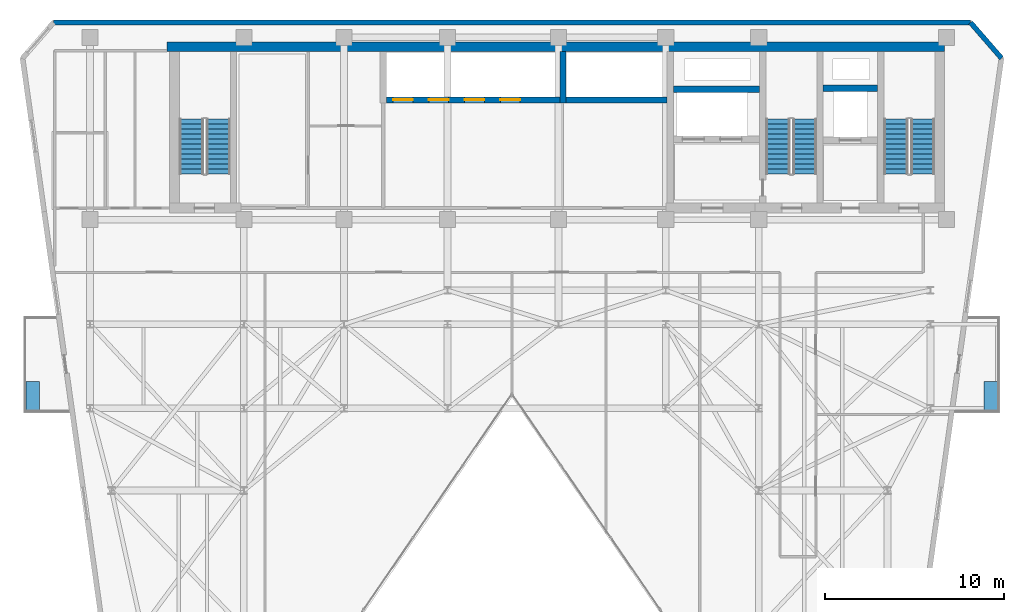
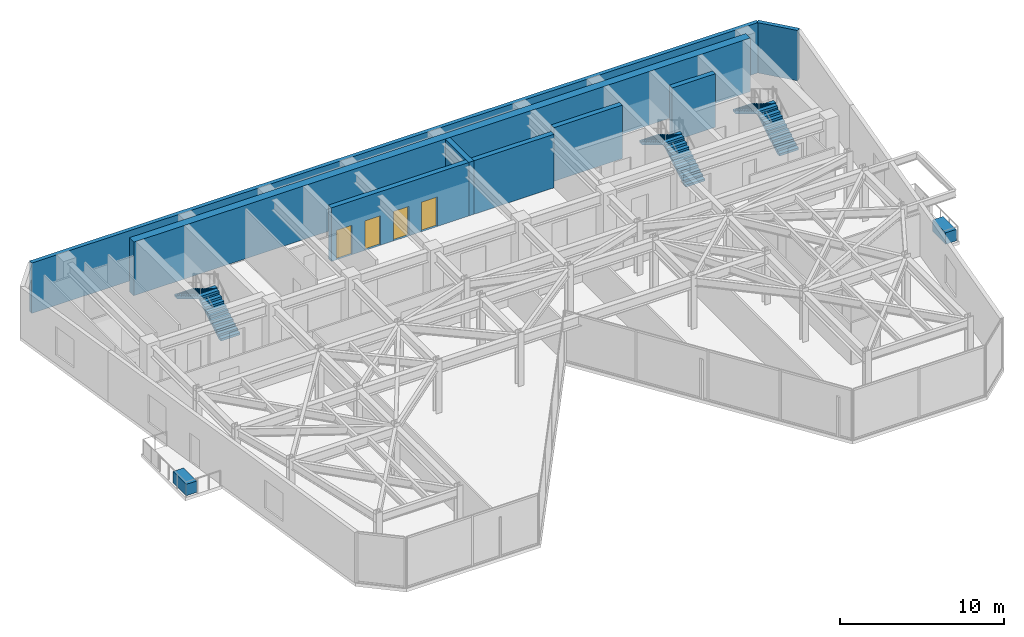
# One storey, part 18 of 21: 8 walls, 6 stair flights, 4 doors, 2 discrete accessories, 4 openings, 3 elements without a shape of their own.
"""IFC4 building model written with IfcOpenShell, lengths in metres."""

from ifc_helpers import new_model, si_unit, direction, frame, frame_2d, origin, origin_2d, place, context, subcontext, project, spatial, polyline, rectangle, outline, extrude, material, layer, layer_set, type_object, element, fill, aggregate, save


model = new_model("IFC4")

# Units and contexts
model_context = context("Model", 3, precision=1e-05, world=origin(), true_north=direction((0.0, 1.0)))
body_context = subcontext(model_context, "Body", "Model", "MODEL_VIEW")
ifc_project = project(units=[si_unit("LENGTHUNIT", "METRE"), si_unit("AREAUNIT", "SQUARE_METRE"), si_unit("VOLUMEUNIT", "CUBIC_METRE"), si_unit("PLANEANGLEUNIT", "RADIAN"), si_unit("MASSUNIT", "GRAM", prefix="KILO")], contexts=[model_context])

# Site, building, storey
site_placement = place(None, origin())
site = spatial("IfcSite", under=ifc_project, at=site_placement, CompositionType="ELEMENT")
building_placement = place(site_placement, origin())
building = spatial("IfcBuilding", under=site, at=building_placement, Name="Kravanh Interchange Tower", CompositionType="ELEMENT")
storey_placement = place(building_placement, frame((0.0, 0.0, 200.5)))
storey = spatial("IfcBuildingStorey", under=building, at=storey_placement, Name="L48", CompositionType="ELEMENT", Elevation=200.5)

# Walls
ifc_material_1 = material(Name="Concrete C60/75", Category="concrete")
ifc_layer_1 = layer(ifc_material_1, 0.35009765625)
ifc_layer_set_1 = layer_set([ifc_layer_1], Name="Core Shear Wall Concrete C60/75 350mm")
wall_type_1 = type_object("IfcWallType", Name="Core Shear Wall Concrete C60/75 350mm", PredefinedType="SHEAR", material=ifc_layer_set_1)
wall_1_placement = place(storey_placement, frame((59.60009765625, 44.699951171875, 0.0), z_axis=(0.0, 0.0, 1.0), x_axis=(1.0, 0.0, 0.0)))
element("IfcWall", 1, at=wall_1_placement, inside=storey, type_object=wall_type_1, Name="L48 Service Lift Shaft North Wall", PredefinedType="SHEAR", context=body_context, shape_type="SweptSolid", body=[
    extrude(rectangle(XDim=3.0498046875, YDim=0.35009765625, at=frame_2d((1.52490234375, 0.0))), origin(), (0.0, 0.0, 1.0), 4.0),
])
wall_2_placement = place(storey_placement, frame((51.22509765625, 44.64990234375, 0.0), z_axis=(0.0, 0.0, 1.0), x_axis=(1.0, 0.0, 0.0)))
element("IfcWall", 2, at=wall_2_placement, inside=storey, type_object=wall_type_1, Name="L48 Fire Lift Shaft North Wall", PredefinedType="SHEAR", context=body_context, shape_type="SweptSolid", body=[
    extrude(rectangle(XDim=4.824951171875, YDim=0.35009765625, at=frame_2d((2.41259765625, 0.0))), origin(), (0.0, 0.0, 1.0), 4.0),
])
wall_3_placement = place(storey_placement, frame((45.22509765625, 44.050048828125, 0.0), z_axis=(0.0, 0.0, 1.0), x_axis=(1.0, 0.0, 0.0)))
element("IfcWall", 3, at=wall_3_placement, inside=storey, type_object=wall_type_1, Name="L48 High-Rise Lift Shaft South Wall", PredefinedType="SHEAR", context=body_context, shape_type="SweptSolid", body=[
    extrude(rectangle(XDim=5.64990234375, YDim=0.35009765625, at=frame_2d((2.824951171875, 0.0))), origin(), (0.0, 0.0, 1.0), 4.0),
])
wall_4_placement = place(storey_placement, frame((45.050048828125, 43.875, 0.0), z_axis=(0.0, 0.0, 1.0), x_axis=(0.0, 1.0, 0.0)))
element("IfcWall", 4, at=wall_4_placement, inside=storey, type_object=wall_type_1, Name="L48 High-Rise Lift Shaft West Wall", PredefinedType="SHEAR", context=body_context, shape_type="SweptSolid", body=[
    extrude(rectangle(XDim=2.875, YDim=0.35009765625, at=frame_2d((1.4375, 0.0))), origin(), (0.0, 0.0, 1.0), 4.0),
])

# Wall, openings, doors
wall_5_placement = place(storey_placement, frame((35.175048828125, 44.050048828125, 0.0), z_axis=(0.0, 0.0, 1.0), x_axis=(1.0, 0.0, 0.0)))
wall_5 = element("IfcWall", 5, at=wall_5_placement, inside=storey, type_object=wall_type_1, Name="L48 Mid-Rise Lift Shaft South Wall", PredefinedType="SHEAR", context=body_context, shape_type="SweptSolid", body=[
    extrude(rectangle(XDim=9.699951171875, YDim=0.35009765625, at=frame_2d((4.85009765625, 0.0))), origin(), (0.0, 0.0, 1.0), 4.0),
])
opening_1_placement = place(wall_5_placement, frame((0.375, 0.0, 0.0)))
opening_1 = element("IfcOpeningElement", 6, at=opening_1_placement, cuts=wall_5, Name="Opening LD01", PredefinedType="OPENING", context=body_context, shape_type="SweptSolid", body=[
    extrude(rectangle(XDim=1.10009765625, YDim=2.199951171875, at=frame_2d((0.550048828125, 1.10009765625))), frame((0.0, 0.18505859375, 0.0), z_axis=(0.0, -1.0, 0.0), x_axis=(1.0, 0.0, 0.0)), (0.0, 0.0, 1.0), 0.3701171875),
])
opening_2_placement = place(wall_5_placement, frame((2.375, 0.0, 0.0)))
opening_2 = element("IfcOpeningElement", 7, at=opening_2_placement, cuts=wall_5, Name="Opening LD01", PredefinedType="OPENING", context=body_context, shape_type="SweptSolid", body=[
    extrude(rectangle(XDim=1.10009765625, YDim=2.199951171875, at=frame_2d((0.550048828125, 1.10009765625))), frame((0.0, 0.18505859375, 0.0), z_axis=(0.0, -1.0, 0.0), x_axis=(1.0, 0.0, 0.0)), (0.0, 0.0, 1.0), 0.3701171875),
])
opening_3_placement = place(wall_5_placement, frame((4.375, 0.0, 0.0)))
opening_3 = element("IfcOpeningElement", 8, at=opening_3_placement, cuts=wall_5, Name="Opening LD01", PredefinedType="OPENING", context=body_context, shape_type="SweptSolid", body=[
    extrude(rectangle(XDim=1.10009765625, YDim=2.199951171875, at=frame_2d((0.550048828125, 1.10009765625))), frame((0.0, 0.18505859375, 0.0), z_axis=(0.0, -1.0, 0.0), x_axis=(1.0, 0.0, 0.0)), (0.0, 0.0, 1.0), 0.3701171875),
])
opening_4_placement = place(wall_5_placement, frame((6.375, 0.0, 0.0)))
opening_4 = element("IfcOpeningElement", 9, at=opening_4_placement, cuts=wall_5, Name="Opening LD01", PredefinedType="OPENING", context=body_context, shape_type="SweptSolid", body=[
    extrude(rectangle(XDim=1.10009765625, YDim=2.199951171875, at=frame_2d((0.550048828125, 1.10009765625))), frame((0.0, 0.18505859375, 0.0), z_axis=(0.0, -1.0, 0.0), x_axis=(1.0, 0.0, 0.0)), (0.0, 0.0, 1.0), 0.3701171875),
])
ifc_material_2 = material(Name="Stainless Steel 304", Category="steel")
door_type = type_object("IfcDoorType", Name="Passenger Lift Sliding Landing Door 1100x2200", OperationType="DOUBLE_DOOR_SLIDING", PredefinedType="DOOR", material=ifc_material_2)
door_1_placement = place(opening_1_placement, origin())
door_1 = element("IfcDoor", 10, at=door_1_placement, inside=storey, type_object=door_type, Name="L48 Lift LP-M1 Landing Door", OperationType="DOUBLE_DOOR_SLIDING", OverallHeight=2.199951171875, OverallWidth=1.10009765625, PredefinedType="DOOR", context=body_context, shape_type="SweptSolid", body=[
    extrude(rectangle(XDim=1.10009765625, YDim=2.199951171875, at=frame_2d((0.550048828125, 1.10009765625))), frame((0.0, 0.02490234375, 0.0), z_axis=(0.0, -1.0, 0.0), x_axis=(1.0, 0.0, 0.0)), (0.0, 0.0, 1.0), 0.050048828125),
])
fill(opening_1, door_1)
door_2_placement = place(opening_2_placement, origin())
door_2 = element("IfcDoor", 11, at=door_2_placement, inside=storey, type_object=door_type, Name="L48 Lift LP-M2 Landing Door", OperationType="DOUBLE_DOOR_SLIDING", OverallHeight=2.199951171875, OverallWidth=1.10009765625, PredefinedType="DOOR", context=body_context, shape_type="SweptSolid", body=[
    extrude(rectangle(XDim=1.10009765625, YDim=2.199951171875, at=frame_2d((0.550048828125, 1.10009765625))), frame((0.0, 0.02490234375, 0.0), z_axis=(0.0, -1.0, 0.0), x_axis=(1.0, 0.0, 0.0)), (0.0, 0.0, 1.0), 0.050048828125),
])
fill(opening_2, door_2)
door_3_placement = place(opening_3_placement, origin())
door_3 = element("IfcDoor", 12, at=door_3_placement, inside=storey, type_object=door_type, Name="L48 Lift LP-M3 Landing Door", OperationType="DOUBLE_DOOR_SLIDING", OverallHeight=2.199951171875, OverallWidth=1.10009765625, PredefinedType="DOOR", context=body_context, shape_type="SweptSolid", body=[
    extrude(rectangle(XDim=1.10009765625, YDim=2.199951171875, at=frame_2d((0.550048828125, 1.10009765625))), frame((0.0, 0.02490234375, 0.0), z_axis=(0.0, -1.0, 0.0), x_axis=(1.0, 0.0, 0.0)), (0.0, 0.0, 1.0), 0.050048828125),
])
fill(opening_3, door_3)
door_4_placement = place(opening_4_placement, origin())
door_4 = element("IfcDoor", 13, at=door_4_placement, inside=storey, type_object=door_type, Name="L48 Lift LP-M4 Landing Door", OperationType="DOUBLE_DOOR_SLIDING", OverallHeight=2.199951171875, OverallWidth=1.10009765625, PredefinedType="DOOR", context=body_context, shape_type="SweptSolid", body=[
    extrude(rectangle(XDim=1.10009765625, YDim=2.199951171875, at=frame_2d((0.550048828125, 1.10009765625))), frame((0.0, 0.02490234375, 0.0), z_axis=(0.0, -1.0, 0.0), x_axis=(1.0, 0.0, 0.0)), (0.0, 0.0, 1.0), 0.050048828125),
])
fill(opening_4, door_4)

# Walls
ifc_material_3 = material(Name="Concrete C70/85", Category="concrete")
ifc_layer_2 = layer(ifc_material_3, 0.550048828125)
ifc_layer_set_2 = layer_set([ifc_layer_2], Name="Core Shear Wall Concrete C70/85 550mm")
wall_type_2 = type_object("IfcWallType", Name="Core Shear Wall Concrete C70/85 550mm", PredefinedType="SHEAR", material=ifc_layer_set_2)
wall_6_placement = place(storey_placement, frame((22.89990234375, 47.02490234375, 0.0), z_axis=(0.0, 0.0, 1.0), x_axis=(1.0, 0.0, 0.0)))
element("IfcWall", 14, at=wall_6_placement, inside=storey, type_object=wall_type_2, Name="L48 North Core Shear Wall", PredefinedType="SHEAR", context=body_context, shape_type="SweptSolid", body=[
    extrude(rectangle(XDim=43.5, YDim=0.550048828125, at=frame_2d((21.75, 0.0))), origin(), (0.0, 0.0, 1.0), 4.0),
])
ifc_material_4 = material(Name="Insulated Precast Concrete C40/50 with Bronze Cladding", Category="concrete")
ifc_layer_3 = layer(ifc_material_4, 0.280029296875)
ifc_layer_set_3 = layer_set([ifc_layer_3], Name="Exterior Insulated Concrete C40/50 Bronze Spandrel Wall 280mm")
wall_type_3 = type_object("IfcWallType", Name="Exterior Insulated Concrete C40/50 Bronze Spandrel Wall 280mm", PredefinedType="STANDARD", material=ifc_layer_set_3)
wall_7_placement = place(storey_placement, frame((16.5546875, 48.3798828125, 0.0), z_axis=(0.0, 0.0, 1.0), x_axis=(1.0, 0.0, 0.0)))
element("IfcWall", 15, at=wall_7_placement, inside=storey, type_object=wall_type_3, Name="L48 Exterior Wall 4", PredefinedType="STANDARD", context=body_context, shape_type="SweptSolid", body=[
    extrude(rectangle(XDim=51.29052734375, YDim=0.280029296875, at=frame_2d((25.645263671875, 0.0))), origin(), (0.0, 0.0, 1.0), 3.7548828125),
])
wall_8_placement = place(storey_placement, frame((67.84521484375, 48.3798828125, 0.0), z_axis=(0.0, 0.0, 1.0), x_axis=(0.656071351282, -0.754698868442, 0.0)))
element("IfcWall", 16, at=wall_8_placement, inside=storey, type_object=wall_type_3, Name="L48 Exterior Wall 5", PredefinedType="STANDARD", context=body_context, shape_type="SweptSolid", body=[
    extrude(rectangle(XDim=2.646240234375, YDim=0.280029296875, at=frame_2d((1.3232421875, 0.0))), origin(), (0.0, 0.0, 1.0), 3.7548828125),
])

# Stair, stair flights
ifc_material_5 = material(Name="Concrete C50/60", Category="concrete")
stair_type = type_object("IfcStairType", Name="Core Fire Exit Dogleg Stair Concrete C50/60", PredefinedType="HALF_TURN_STAIR", material=ifc_material_5)
stair_1_placement = place(storey_placement, origin())
stair_1 = element("IfcStair", 17, at=stair_1_placement, inside=storey, type_object=stair_type, Name="L48 Exit Stair ST1", PredefinedType="HALF_TURN_STAIR")
ifc_material_6 = material(Name="Precast Concrete C50/60", Category="concrete")
ifc_layer_4 = layer(ifc_material_6, 0.199951171875)
ifc_layer_set_4 = layer_set([ifc_layer_4], Name="Precast Concrete C50/60 Stair Flight 1350mm")
stair_flight_type = type_object("IfcStairFlightType", Name="Precast Concrete C50/60 Stair Flight 1350mm", PredefinedType="STRAIGHT", material=ifc_layer_set_4)
stair_flight_1_placement = place(storey_placement, frame((65.175048828125, 39.89990234375, 0.0), z_axis=(0.0, 0.0, 1.0), x_axis=(0.0, 1.0, 0.0)))
stair_flight_1 = element("IfcStairFlight", 18, at=stair_flight_1_placement, type_object=stair_flight_type, Name="ST1 flight 1", NumberOfRisers=12, NumberOfTreads=11, PredefinedType="STRAIGHT", RiserHeight=0.166666667, TreadLength=0.28, context=body_context, shape_type="SweptSolid", body=[
    extrude(outline(polyline([(0.0, 0.0), (0.0, 0.166748046875), (0.280029296875, 0.166748046875), (0.280029296875, 0.333251953125), (0.56005859375, 0.333251953125), (0.56005859375, 0.5), (0.840087890625, 0.5), (0.840087890625, 0.666748046875), (1.1201171875, 0.666748046875), (1.1201171875, 0.833251953125), (1.39990234375, 0.833251953125), (1.39990234375, 1.0), (1.679931640625, 1.0), (1.679931640625, 1.166748046875), (1.9599609375, 1.166748046875), (1.9599609375, 1.333251953125), (2.239990234375, 1.333251953125), (2.239990234375, 1.5), (2.52001953125, 1.5), (2.52001953125, 1.666748046875), (2.800048828125, 1.666748046875), (2.800048828125, 1.833251953125), (3.080078125, 1.833251953125), (3.080078125, 2.0), (3.080078125, 1.658935546875), (0.29296875, 0.0), (0.0, 0.0)])), frame((0.0, 0.675048828125, 0.0), z_axis=(0.0, -1.0, 0.0), x_axis=(1.0, 0.0, 0.0)), (0.0, 0.0, 1.0), 1.35009765625),
])
stair_flight_2_placement = place(storey_placement, frame((63.675048828125, 42.97998046875, 2.0), z_axis=(0.0, 0.0, 1.0), x_axis=(0.0, -1.0, 0.0)))
stair_flight_2 = element("IfcStairFlight", 19, at=stair_flight_2_placement, type_object=stair_flight_type, Name="ST1 flight 2", NumberOfRisers=12, NumberOfTreads=11, PredefinedType="STRAIGHT", RiserHeight=0.166666667, TreadLength=0.28, context=body_context, shape_type="SweptSolid", body=[
    extrude(outline(polyline([(0.0, 0.0), (0.0, 0.166748046875), (0.280029296875, 0.166748046875), (0.280029296875, 0.333251953125), (0.56005859375, 0.333251953125), (0.56005859375, 0.5), (0.840087890625, 0.5), (0.840087890625, 0.666748046875), (1.1201171875, 0.666748046875), (1.1201171875, 0.833251953125), (1.39990234375, 0.833251953125), (1.39990234375, 1.0), (1.679931640625, 1.0), (1.679931640625, 1.166748046875), (1.9599609375, 1.166748046875), (1.9599609375, 1.333251953125), (2.239990234375, 1.333251953125), (2.239990234375, 1.5), (2.52001953125, 1.5), (2.52001953125, 1.666748046875), (2.800048828125, 1.666748046875), (2.800048828125, 1.833251953125), (3.080078125, 1.833251953125), (3.080078125, 2.0), (3.080078125, 1.658935546875), (0.29296875, 0.0), (0.0, 0.0)])), frame((0.0, 0.675048828125, 0.0), z_axis=(0.0, -1.0, 0.0), x_axis=(1.0, 0.0, 0.0)), (0.0, 0.0, 1.0), 1.35009765625),
])
aggregate(stair_1, [stair_flight_1, stair_flight_2])

stair_2_placement = place(storey_placement, origin())
stair_2 = element("IfcStair", 20, at=stair_2_placement, inside=storey, type_object=stair_type, Name="L48 Exit Stair ST2", PredefinedType="HALF_TURN_STAIR")
stair_flight_3_placement = place(storey_placement, frame((58.574951171875, 39.89990234375, 0.0), z_axis=(0.0, 0.0, 1.0), x_axis=(0.0, 1.0, 0.0)))
stair_flight_3 = element("IfcStairFlight", 21, at=stair_flight_3_placement, type_object=stair_flight_type, Name="ST2 flight 1", NumberOfRisers=12, NumberOfTreads=11, PredefinedType="STRAIGHT", RiserHeight=0.166666667, TreadLength=0.28, context=body_context, shape_type="SweptSolid", body=[
    extrude(outline(polyline([(0.0, 0.0), (0.0, 0.166748046875), (0.280029296875, 0.166748046875), (0.280029296875, 0.333251953125), (0.56005859375, 0.333251953125), (0.56005859375, 0.5), (0.840087890625, 0.5), (0.840087890625, 0.666748046875), (1.1201171875, 0.666748046875), (1.1201171875, 0.833251953125), (1.39990234375, 0.833251953125), (1.39990234375, 1.0), (1.679931640625, 1.0), (1.679931640625, 1.166748046875), (1.9599609375, 1.166748046875), (1.9599609375, 1.333251953125), (2.239990234375, 1.333251953125), (2.239990234375, 1.5), (2.52001953125, 1.5), (2.52001953125, 1.666748046875), (2.800048828125, 1.666748046875), (2.800048828125, 1.833251953125), (3.080078125, 1.833251953125), (3.080078125, 2.0), (3.080078125, 1.658935546875), (0.29296875, 0.0), (0.0, 0.0)])), frame((0.0, 0.675048828125, 0.0), z_axis=(0.0, -1.0, 0.0), x_axis=(1.0, 0.0, 0.0)), (0.0, 0.0, 1.0), 1.35009765625),
])
stair_flight_4_placement = place(storey_placement, frame((57.074951171875, 42.97998046875, 2.0), z_axis=(0.0, 0.0, 1.0), x_axis=(0.0, -1.0, 0.0)))
stair_flight_4 = element("IfcStairFlight", 22, at=stair_flight_4_placement, type_object=stair_flight_type, Name="ST2 flight 2", NumberOfRisers=12, NumberOfTreads=11, PredefinedType="STRAIGHT", RiserHeight=0.166666667, TreadLength=0.28, context=body_context, shape_type="SweptSolid", body=[
    extrude(outline(polyline([(0.0, 0.0), (0.0, 0.166748046875), (0.280029296875, 0.166748046875), (0.280029296875, 0.333251953125), (0.56005859375, 0.333251953125), (0.56005859375, 0.5), (0.840087890625, 0.5), (0.840087890625, 0.666748046875), (1.1201171875, 0.666748046875), (1.1201171875, 0.833251953125), (1.39990234375, 0.833251953125), (1.39990234375, 1.0), (1.679931640625, 1.0), (1.679931640625, 1.166748046875), (1.9599609375, 1.166748046875), (1.9599609375, 1.333251953125), (2.239990234375, 1.333251953125), (2.239990234375, 1.5), (2.52001953125, 1.5), (2.52001953125, 1.666748046875), (2.800048828125, 1.666748046875), (2.800048828125, 1.833251953125), (3.080078125, 1.833251953125), (3.080078125, 2.0), (3.080078125, 1.658935546875), (0.29296875, 0.0), (0.0, 0.0)])), frame((0.0, 0.675048828125, 0.0), z_axis=(0.0, -1.0, 0.0), x_axis=(1.0, 0.0, 0.0)), (0.0, 0.0, 1.0), 1.35009765625),
])
aggregate(stair_2, [stair_flight_3, stair_flight_4])

stair_3_placement = place(storey_placement, origin())
stair_3 = element("IfcStair", 23, at=stair_3_placement, inside=storey, type_object=stair_type, Name="L48 Exit Stair ST3", PredefinedType="HALF_TURN_STAIR")
stair_flight_5_placement = place(storey_placement, frame((25.77490234375, 39.89990234375, 0.0), z_axis=(0.0, 0.0, 1.0), x_axis=(0.0, 1.0, 0.0)))
stair_flight_5 = element("IfcStairFlight", 24, at=stair_flight_5_placement, type_object=stair_flight_type, Name="ST3 flight 1", NumberOfRisers=12, NumberOfTreads=11, PredefinedType="STRAIGHT", RiserHeight=0.166666667, TreadLength=0.28, context=body_context, shape_type="SweptSolid", body=[
    extrude(outline(polyline([(0.0, 0.0), (0.0, 0.166748046875), (0.280029296875, 0.166748046875), (0.280029296875, 0.333251953125), (0.56005859375, 0.333251953125), (0.56005859375, 0.5), (0.840087890625, 0.5), (0.840087890625, 0.666748046875), (1.1201171875, 0.666748046875), (1.1201171875, 0.833251953125), (1.39990234375, 0.833251953125), (1.39990234375, 1.0), (1.679931640625, 1.0), (1.679931640625, 1.166748046875), (1.9599609375, 1.166748046875), (1.9599609375, 1.333251953125), (2.239990234375, 1.333251953125), (2.239990234375, 1.5), (2.52001953125, 1.5), (2.52001953125, 1.666748046875), (2.800048828125, 1.666748046875), (2.800048828125, 1.833251953125), (3.080078125, 1.833251953125), (3.080078125, 2.0), (3.080078125, 1.658935546875), (0.29296875, 0.0), (0.0, 0.0)])), frame((0.0, 0.675048828125, 0.0), z_axis=(0.0, -1.0, 0.0), x_axis=(1.0, 0.0, 0.0)), (0.0, 0.0, 1.0), 1.35009765625),
])
stair_flight_6_placement = place(storey_placement, frame((24.27490234375, 42.97998046875, 2.0), z_axis=(0.0, 0.0, 1.0), x_axis=(0.0, -1.0, 0.0)))
stair_flight_6 = element("IfcStairFlight", 25, at=stair_flight_6_placement, type_object=stair_flight_type, Name="ST3 flight 2", NumberOfRisers=12, NumberOfTreads=11, PredefinedType="STRAIGHT", RiserHeight=0.166666667, TreadLength=0.28, context=body_context, shape_type="SweptSolid", body=[
    extrude(outline(polyline([(0.0, 0.0), (0.0, 0.166748046875), (0.280029296875, 0.166748046875), (0.280029296875, 0.333251953125), (0.56005859375, 0.333251953125), (0.56005859375, 0.5), (0.840087890625, 0.5), (0.840087890625, 0.666748046875), (1.1201171875, 0.666748046875), (1.1201171875, 0.833251953125), (1.39990234375, 0.833251953125), (1.39990234375, 1.0), (1.679931640625, 1.0), (1.679931640625, 1.166748046875), (1.9599609375, 1.166748046875), (1.9599609375, 1.333251953125), (2.239990234375, 1.333251953125), (2.239990234375, 1.5), (2.52001953125, 1.5), (2.52001953125, 1.666748046875), (2.800048828125, 1.666748046875), (2.800048828125, 1.833251953125), (3.080078125, 1.833251953125), (3.080078125, 2.0), (3.080078125, 1.658935546875), (0.29296875, 0.0), (0.0, 0.0)])), frame((0.0, 0.675048828125, 0.0), z_axis=(0.0, -1.0, 0.0), x_axis=(1.0, 0.0, 0.0)), (0.0, 0.0, 1.0), 1.35009765625),
])
aggregate(stair_3, [stair_flight_5, stair_flight_6])

# Discrete accessories
ifc_material_7 = material(Name="Architectural GRC Concrete C40/50 with Root Barrier", Category="concrete")
discrete_accessory_type = type_object("IfcDiscreteAccessoryType", Name="Structural Balcony Tree Planter Box Concrete C40/50 1600x750x850", PredefinedType="USERDEFINED", material=ifc_material_7)
for number, where, z_axis, x_axis, name in (
    (26, (68.969970703125, 27.5, 0.0), (0.0, 0.0, 1.0), (1.0, 0.0, 0.0), "L48 E Balcony TREE PLANTER"),
    (27, (15.39599609375, 27.5, 0.0), (0.0, 0.0, 1.0), (1.0, 0.0, 0.0), "L48 W Balcony TREE PLANTER"),
):
    element("IfcDiscreteAccessory", number, at=place(storey_placement, frame(where, z_axis=z_axis, x_axis=x_axis)), inside=storey, type_object=discrete_accessory_type, Name=name, ObjectType="PLANTER", PredefinedType="USERDEFINED", context=body_context, shape_type="SweptSolid", body=[
        extrude(rectangle(XDim=0.75, YDim=1.60009765625, at=origin_2d()), origin(), (0.0, 0.0, 1.0), 0.85009765625),
    ])

save(model, "model.ifc")
